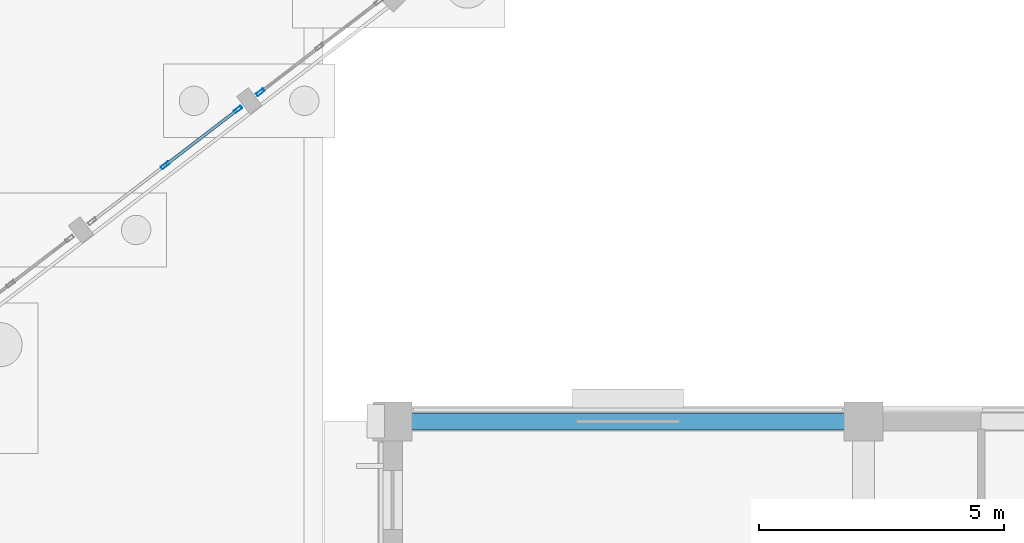
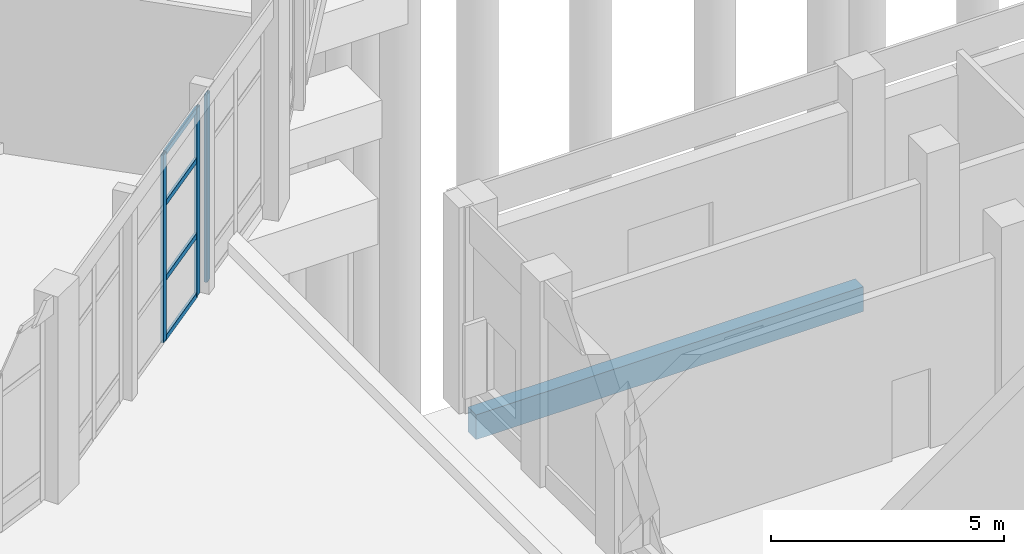
# One storey, part 68 of 137: 7 members, 1 beam, 2 elements without a shape of their own.
"""IFC4 building model written with IfcOpenShell, lengths in metres."""

from ifc_helpers import new_model, si_unit, direction, frame, origin, origin_2d, place, context, subcontext, project, spatial, rectangle, hollow_rectangle, extrude, material, material_profile, profile_set, type_object, element, aggregate, save


model = new_model("IFC4")

# Units and contexts
model_context = context("Model", 3, precision=1e-05, world=origin(), true_north=direction((0.0, 1.0)))
body_context = subcontext(model_context, "Body", "Model", "MODEL_VIEW")
ifc_project = project(units=[si_unit("LENGTHUNIT", "METRE"), si_unit("AREAUNIT", "SQUARE_METRE"), si_unit("VOLUMEUNIT", "CUBIC_METRE"), si_unit("PLANEANGLEUNIT", "RADIAN"), si_unit("MASSUNIT", "GRAM", prefix="KILO")], contexts=[model_context])

# Site, building, storey
site_placement = place(None, origin())
site = spatial("IfcSite", under=ifc_project, at=site_placement, CompositionType="ELEMENT")
building_placement = place(site_placement, origin())
building = spatial("IfcBuilding", under=site, at=building_placement, Name="Vondelvale Polytechnic", CompositionType="ELEMENT")
storey_placement = place(building_placement, origin())
storey = spatial("IfcBuildingStorey", under=building, at=storey_placement, Name="L00", CompositionType="ELEMENT", Elevation=0.0)

# Curtain wall, members
ifc_material_1 = material(Name="Glulam GL18 structural Tasmanian oak (fb = 42 MPa)", Category="wood")
curtain_wall_type = type_object("IfcCurtainWallType", Name="CW-RING-OUTER", PredefinedType="NOTDEFINED", material=ifc_material_1)
curtain_wall_1_placement = place(storey_placement, origin())
curtain_wall_1 = element("IfcCurtainWall", 1, at=curtain_wall_1_placement, inside=storey, type_object=curtain_wall_type, Name="L00 architectural curtain wall CW-04-342", PredefinedType="NOTDEFINED")
ifc_material_2 = material(Name="Anodised extruded aluminium 6063-T6", Category="aluminium")
ifc_material_profile_1 = material_profile(ifc_material_2, hollow_rectangle(XDim=0.06494140625, YDim=0.179931640625, WallThickness=0.00390625, at=origin_2d()), Name="CW-MUL-180x65")
ifc_profile_set_1 = profile_set([ifc_material_profile_1], Name="Anodised extruded aluminium 6063-T6")
member_type_1 = type_object("IfcMemberType", Name="CW-MUL-65x180", PredefinedType="MULLION", material=ifc_profile_set_1)
member_1_placement = place(storey_placement, frame((129.763427734375, 35.81787109375, 0.0), z_axis=(0.0, 0.0, 1.0), x_axis=(-0.608771189063, 0.793345851043, 0.0)))
member_1 = element("IfcMember", 2, at=member_1_placement, type_object=member_type_1, Name="CW-04-342 mullion 2", PredefinedType="MULLION", context=body_context, shape_type="SweptSolid", body=[
    extrude(hollow_rectangle(XDim=0.06494140625, YDim=0.179931640625, WallThickness=0.00390625, at=origin_2d()), origin(), (0.0, 0.0, 1.0), 4.919921875),
])
member_2_placement = place(storey_placement, frame((131.250244140625, 36.958740234375, 0.0), z_axis=(0.0, 0.0, 1.0), x_axis=(-0.608771189063, 0.793345851043, 0.0)))
member_2 = element("IfcMember", 3, at=member_2_placement, type_object=member_type_1, Name="CW-04-342 mullion 3", PredefinedType="MULLION", context=body_context, shape_type="SweptSolid", body=[
    extrude(hollow_rectangle(XDim=0.06494140625, YDim=0.179931640625, WallThickness=0.00390625, at=origin_2d()), origin(), (0.0, 0.0, 1.0), 4.919921875),
])

# Curtain wall, member
curtain_wall_2_placement = place(storey_placement, origin())
curtain_wall_2 = element("IfcCurtainWall", 4, at=curtain_wall_2_placement, inside=storey, type_object=curtain_wall_type, Name="L00 architectural curtain wall CW-04-343", PredefinedType="NOTDEFINED")
member_3_placement = place(storey_placement, frame((131.706298828125, 37.308837890625, 0.0), z_axis=(0.0, 0.0, 1.0), x_axis=(-0.608763610584, 0.793351666305, 0.0)))
member_3 = element("IfcMember", 5, at=member_3_placement, type_object=member_type_1, Name="CW-04-343 mullion 1", PredefinedType="MULLION", context=body_context, shape_type="SweptSolid", body=[
    extrude(hollow_rectangle(XDim=0.06494140625, YDim=0.179931640625, WallThickness=0.00390625, at=origin_2d()), origin(), (0.0, 0.0, 1.0), 4.919921875),
])
aggregate(curtain_wall_2, [member_3])

# Member
ifc_material_profile_2 = material_profile(ifc_material_2, hollow_rectangle(XDim=0.06005859375, YDim=0.139892578125, WallThickness=0.00341796875, at=origin_2d()), Name="CW-TRN-140x60")
ifc_profile_set_2 = profile_set([ifc_material_profile_2], Name="Anodised extruded aluminium 6063-T6")
member_type_2 = type_object("IfcMemberType", Name="CW-TRN-60x140", PredefinedType="USERDEFINED", material=ifc_profile_set_2)
member_4_placement = place(storey_placement, frame((129.789306640625, 35.837646484375, 0.030029296875), z_axis=(0.793310842007, 0.608816809849, 0.0), x_axis=(-0.608816809849, 0.793310842007, 0.0)))
member_4 = element("IfcMember", 6, at=member_4_placement, type_object=member_type_2, Name="CW-04-342 transom 2.1", ObjectType="TRANSOM", PredefinedType="USERDEFINED", context=body_context, shape_type="SweptSolid", body=[
    extrude(hollow_rectangle(XDim=0.06005859375, YDim=0.139892578125, WallThickness=0.00341796875, at=origin_2d()), origin(), (0.0, 0.0, 1.0), 1.808837890625),
])

member_5_placement = place(storey_placement, frame((129.789306640625, 35.837646484375, 1.60009765625), z_axis=(0.793310842007, 0.608816809849, 0.0), x_axis=(-0.608816809849, 0.793310842007, 0.0)))
member_5 = element("IfcMember", 7, at=member_5_placement, type_object=member_type_2, Name="CW-04-342 transom 2.2", ObjectType="TRANSOM", PredefinedType="USERDEFINED", context=body_context, shape_type="SweptSolid", body=[
    extrude(hollow_rectangle(XDim=0.06005859375, YDim=0.139892578125, WallThickness=0.00341796875, at=origin_2d()), origin(), (0.0, 0.0, 1.0), 1.808837890625),
])

member_6_placement = place(storey_placement, frame((129.789306640625, 35.837646484375, 3.570068359375), z_axis=(0.793310842007, 0.608816809849, 0.0), x_axis=(-0.608816809849, 0.793310842007, 0.0)))
member_6 = element("IfcMember", 8, at=member_6_placement, type_object=member_type_2, Name="CW-04-342 transom 2.3", ObjectType="TRANSOM", PredefinedType="USERDEFINED", context=body_context, shape_type="SweptSolid", body=[
    extrude(hollow_rectangle(XDim=0.06005859375, YDim=0.139892578125, WallThickness=0.00341796875, at=origin_2d()), origin(), (0.0, 0.0, 1.0), 1.808837890625),
])

member_7_placement = place(storey_placement, frame((129.789306640625, 35.837646484375, 4.889892578125), z_axis=(0.793310842007, 0.608816809849, 0.0), x_axis=(-0.608816809849, 0.793310842007, 0.0)))
member_7 = element("IfcMember", 9, at=member_7_placement, type_object=member_type_2, Name="CW-04-342 transom 2.4", ObjectType="TRANSOM", PredefinedType="USERDEFINED", context=body_context, shape_type="SweptSolid", body=[
    extrude(hollow_rectangle(XDim=0.06005859375, YDim=0.139892578125, WallThickness=0.00341796875, at=origin_2d()), origin(), (0.0, 0.0, 1.0), 1.808837890625),
])

aggregate(curtain_wall_1, [member_1, member_2, member_4, member_5, member_6, member_7])

# Beam
ifc_material_3 = material(Name="Precast concrete N40 (f'c = 40 MPa)", Category="concrete")
ifc_material_profile_3 = material_profile(ifc_material_3, rectangle(XDim=0.35009765625, YDim=0.64990234375, at=origin_2d()), Name="RC-SPN-350x650")
ifc_profile_set_3 = profile_set([ifc_material_profile_3], Name="Precast concrete N40 (f'c = 40 MPa)")
beam_type = type_object("IfcBeamType", Name="SPN-PRE350x650", PredefinedType="SPANDREL", material=ifc_profile_set_3)
beam_placement = place(storey_placement, frame((134.39990234375, 30.60009765625, -0.625), z_axis=(1.0, 0.0, 0.0), x_axis=(0.0, 1.0, 0.0)))
element("IfcBeam", 10, at=beam_placement, inside=storey, type_object=beam_type, Name="L00 B SP-02", PredefinedType="SPANDREL", context=body_context, shape_type="SweptSolid", body=[
    extrude(rectangle(XDim=0.35009765625, YDim=0.64990234375, at=origin_2d()), origin(), (0.0, 0.0, 1.0), 9.60009765625),
])

save(model, "model.ifc")
